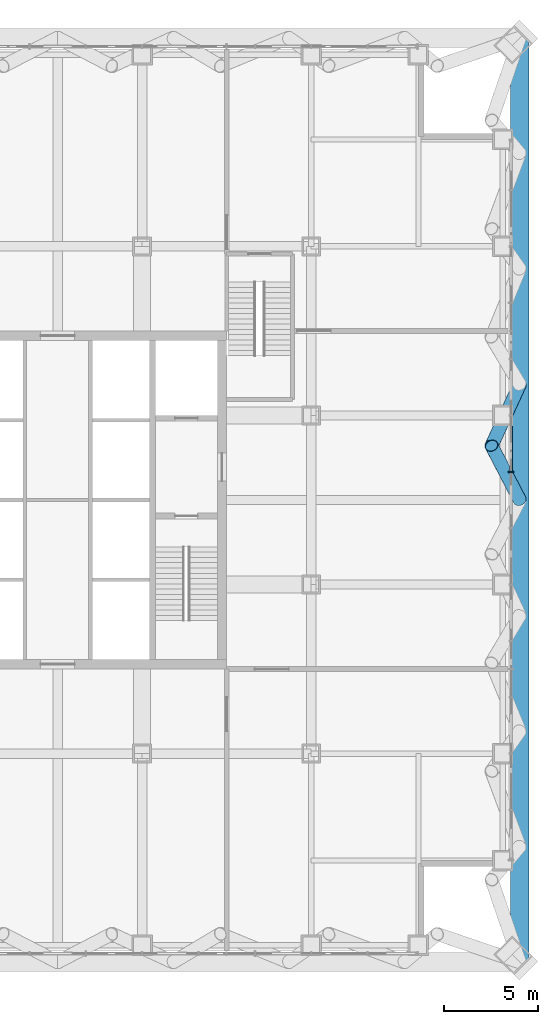
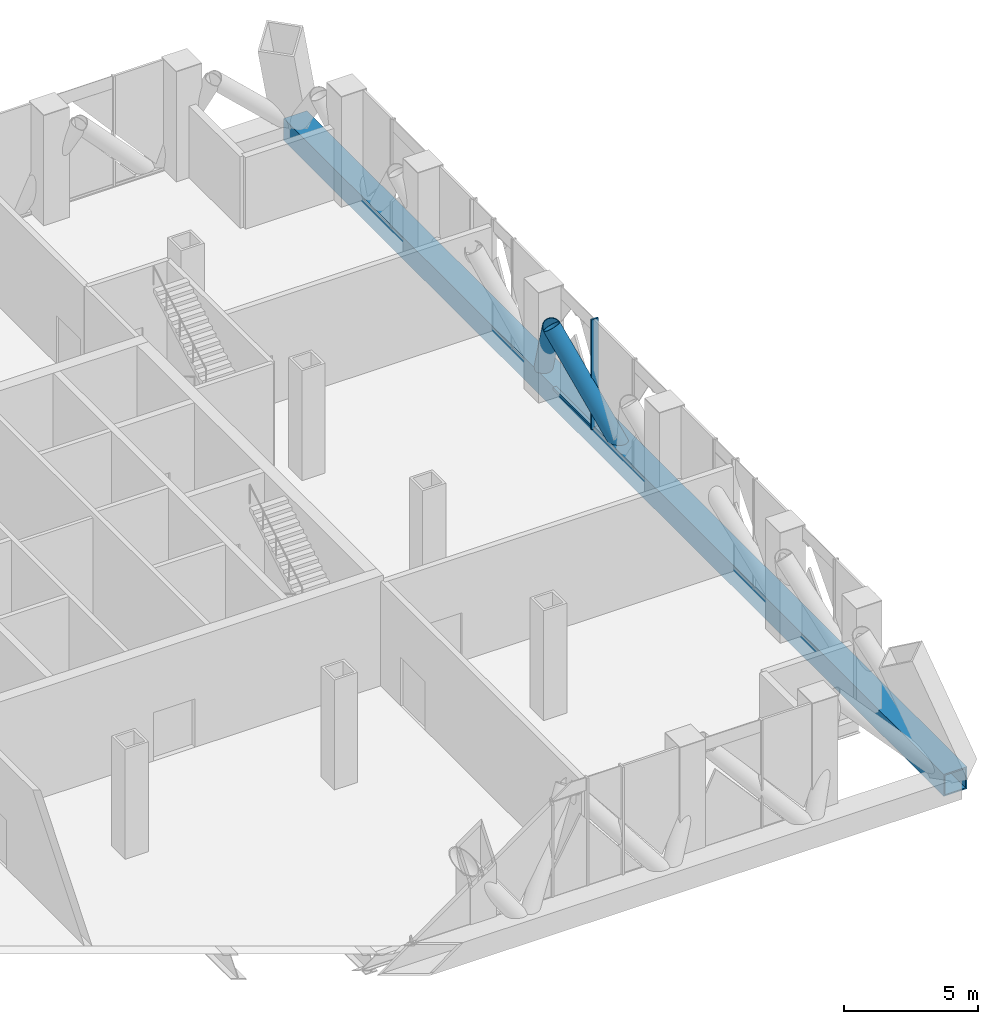
# One storey, part 8 of 29: 5 members, 1 element without a shape of its own.
"""IFC4 building model written with IfcOpenShell, lengths in metres."""

from ifc_helpers import new_model, si_unit, direction, frame, origin, origin_2d, place, context, subcontext, project, spatial, rectangle, hollow_rectangle, hollow_circle, extrude, material, layer, layer_set, material_profile, profile_set, type_object, element, aggregate, save


model = new_model("IFC4")

# Units and contexts
model_context = context("Model", 3, precision=1e-05, world=origin(), true_north=direction((0.0, 1.0)))
body_context = subcontext(model_context, "Body", "Model", "MODEL_VIEW")
ifc_project = project(units=[si_unit("LENGTHUNIT", "METRE"), si_unit("AREAUNIT", "SQUARE_METRE"), si_unit("VOLUMEUNIT", "CUBIC_METRE"), si_unit("PLANEANGLEUNIT", "RADIAN"), si_unit("MASSUNIT", "GRAM", prefix="KILO")], contexts=[model_context])

# Site, building, storey
site_placement = place(None, origin())
site = spatial("IfcSite", under=ifc_project, at=site_placement, CompositionType="ELEMENT")
building_placement = place(site_placement, origin())
building = spatial("IfcBuilding", under=site, at=building_placement, Name="Malebo Sky Hospital", CompositionType="ELEMENT")
storey_placement = place(building_placement, frame((0.0, 0.0, 172.0)))
storey = spatial("IfcBuildingStorey", under=building, at=storey_placement, Name="L41", CompositionType="ELEMENT", Elevation=172.0)

# Curtain wall, member
ifc_material_1 = material(Name="Anodised aluminium, natural silver", Category="aluminium")
ifc_layer = layer(ifc_material_1, 0.25)
ifc_layer_set = layer_set([ifc_layer], Name="PLANT LOUVRE SCREEN")
curtain_wall_type = type_object("IfcCurtainWallType", Name="PLANT LOUVRE SCREEN", PredefinedType="NOTDEFINED", material=ifc_layer_set)
curtain_wall_placement = place(storey_placement, origin())
curtain_wall = element("IfcCurtainWall", 1, at=curtain_wall_placement, inside=storey, type_object=curtain_wall_type, Name="PLANT curtain wall E", PredefinedType="NOTDEFINED")
ifc_material_profile_1 = material_profile(ifc_material_1, rectangle(XDim=0.14990234375, YDim=0.10009765625, at=origin_2d()), Name="ALUMINIUM TRANSOM 150x100")
ifc_profile_set_1 = profile_set([ifc_material_profile_1], Name="Anodised aluminium, natural silver")
member_type_1 = type_object("IfcMemberType", Name="ALUMINIUM TRANSOM 150x100", PredefinedType="USERDEFINED", material=ifc_profile_set_1)
member_1_placement = place(storey_placement, frame((84.135009765625, 66.46240234375, 0.050048828125), z_axis=(0.0, -1.0, 0.0), x_axis=(1.0, 0.0, 0.0)))
member_1 = element("IfcMember", 2, at=member_1_placement, type_object=member_type_1, Name="Transom 7", ObjectType="TRANSOM", PredefinedType="USERDEFINED", context=body_context, shape_type="SweptSolid", body=[
    extrude(rectangle(XDim=0.14990234375, YDim=0.10009765625, at=origin_2d()), origin(), (0.0, 0.0, 1.0), 2.9248046875),
])

# Members
ifc_material_2 = material(Name="Steel S460", Category="steel")
ifc_material_profile_2 = material_profile(ifc_material_2, hollow_circle(Radius=0.35546875, WallThickness=0.02490234375, at=origin_2d()), Name="CHS 711x25")
ifc_profile_set_2 = profile_set([ifc_material_profile_2], Name="Steel S460")
member_type_2 = type_object("IfcMemberType", Name="BELT TRUSS DIAGONAL CHS 711x25", PredefinedType="BRACE", material=ifc_profile_set_2)
member_2_placement = place(storey_placement, frame((84.60009765625, 62.0, -0.39990234375), z_axis=(-0.268164746883, 0.516208408429, 0.813398148262), x_axis=(-0.887402230287, -0.460995967099, 0.0)))
element("IfcMember", 3, at=member_2_placement, inside=storey, type_object=member_type_2, Name="Belt truss diagonal E5.1 L41", PredefinedType="BRACE", context=body_context, shape_type="SweptSolid", body=[
    extrude(hollow_circle(Radius=0.35546875, WallThickness=0.02490234375, at=origin_2d()), origin(), (0.0, 0.0, 1.0), 5.593505859375),
])
member_3_placement = place(storey_placement, frame((83.10009765625, 64.887451171875, 4.14990234375), z_axis=(0.258796497336, 0.562873957341, -0.78498234446), x_axis=(-0.908567362374, 0.417738372703, 0.0)))
element("IfcMember", 4, at=member_3_placement, inside=storey, type_object=member_type_2, Name="Belt truss diagonal E5.2 L41", PredefinedType="BRACE", context=body_context, shape_type="SweptSolid", body=[
    extrude(hollow_circle(Radius=0.35546875, WallThickness=0.02490234375, at=origin_2d()), origin(), (0.0, 0.0, 1.0), 5.796142578125),
])

# Member
ifc_material_profile_3 = material_profile(ifc_material_1, rectangle(XDim=0.074951171875, YDim=0.300048828125, at=origin_2d()), Name="CW5 ALUMINIUM FIN MULLION 75x300")
ifc_profile_set_3 = profile_set([ifc_material_profile_3], Name="Anodised aluminium, natural silver")
member_type_3 = type_object("IfcMemberType", Name="CW5 ALUMINIUM FIN MULLION 75x300", PredefinedType="MULLION", material=ifc_profile_set_3)
member_4_placement = place(storey_placement, frame((84.135009765625, 63.5, 0.0), z_axis=(0.0, 0.0, 1.0), x_axis=(0.0, -1.0, 0.0)))
member_4 = element("IfcMember", 5, at=member_4_placement, type_object=member_type_3, Name="Fin mullion 8", PredefinedType="MULLION", context=body_context, shape_type="SweptSolid", body=[
    extrude(rectangle(XDim=0.074951171875, YDim=0.300048828125, at=origin_2d()), origin(), (0.0, 0.0, 1.0), 5.0),
])

aggregate(curtain_wall, [member_4, member_1])

ifc_material_profile_4 = material_profile(ifc_material_2, hollow_rectangle(XDim=1.0, YDim=1.0, WallThickness=0.06005859375, at=origin_2d()), Name="BOX 1000x1000x60")
ifc_profile_set_4 = profile_set([ifc_material_profile_4], Name="Steel S460")
member_type_4 = type_object("IfcMemberType", Name="MEGA TIE BOX 1000x1000x60", PredefinedType="CHORD", material=ifc_profile_set_4)
member_5_placement = place(storey_placement, frame((84.60009765625, 37.39990234375, -0.39990234375), z_axis=(0.0, 1.0, 0.0), x_axis=(-1.0, 0.0, 0.0)))
element("IfcMember", 6, at=member_5_placement, inside=storey, type_object=member_type_4, Name="Mega tie BE L41", PredefinedType="CHORD", context=body_context, shape_type="SweptSolid", body=[
    extrude(hollow_rectangle(XDim=1.0, YDim=1.0, WallThickness=0.06005859375, at=origin_2d()), origin(), (0.0, 0.0, 1.0), 49.2001953125),
])

save(model, "model.ifc")
